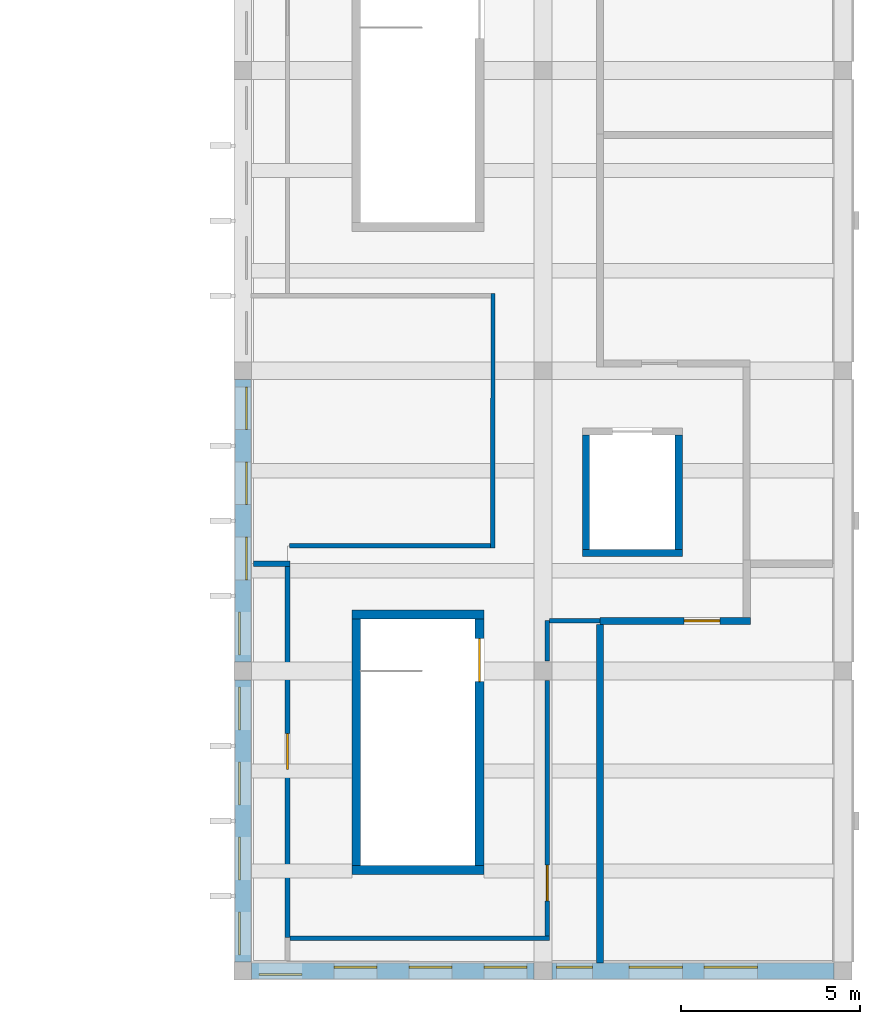
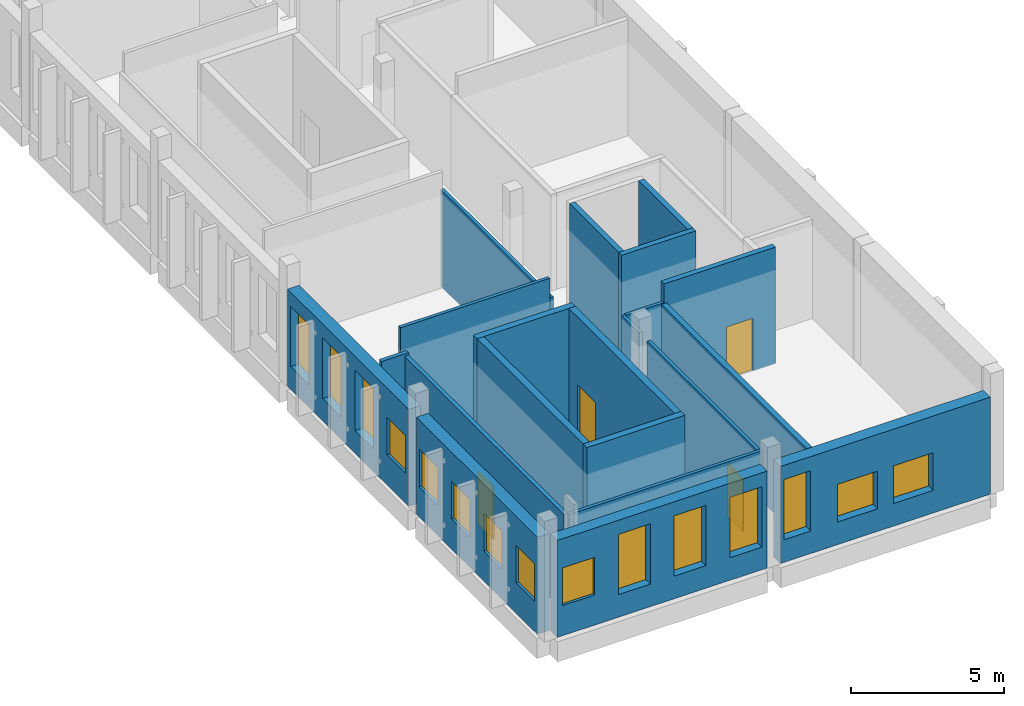
# One storey, part 26 of 47: 21 walls, 15 windows, 4 doors, 19 openings.
"""IFC4 building model written with IfcOpenShell, lengths in metres."""

from ifc_helpers import new_model, si_unit, direction, frame, frame_2d, origin, place, context, subcontext, project, spatial, rectangle, extrude, material, layer, layer_set, type_object, element, fill, save


model = new_model("IFC4")

# Units and contexts
model_context = context("Model", 3, precision=1e-05, world=origin(), true_north=direction((0.0, 1.0)))
body_context = subcontext(model_context, "Body", "Model", "MODEL_VIEW")
ifc_project = project(units=[si_unit("LENGTHUNIT", "METRE"), si_unit("AREAUNIT", "SQUARE_METRE"), si_unit("VOLUMEUNIT", "CUBIC_METRE"), si_unit("PLANEANGLEUNIT", "RADIAN"), si_unit("MASSUNIT", "GRAM", prefix="KILO")], contexts=[model_context])

# Site, building, storey
site_placement = place(None, origin())
site = spatial("IfcSite", under=ifc_project, at=site_placement, CompositionType="ELEMENT")
building_placement = place(site_placement, origin())
building = spatial("IfcBuilding", under=site, at=building_placement, Name="Larchfold Concert Hall", CompositionType="ELEMENT")
storey_placement = place(building_placement, frame((0.0, 0.0, 24.0)))
storey = spatial("IfcBuildingStorey", under=building, at=storey_placement, Name="L05", CompositionType="ELEMENT", Elevation=24.0)

# Wall
ifc_material_1 = material(Name="Plasterboard partition on steel studs", Category="steel")
ifc_layer_1 = layer(ifc_material_1, 0.199951171875)
ifc_layer_set_1 = layer_set([ifc_layer_1], Name="Plasterboard partition on steel studs")
wall_type_1 = type_object("IfcWallType", Name="Acoustic partition 200", PredefinedType="PARTITIONING", material=ifc_layer_set_1)
wall_1_placement = place(storey_placement, frame((94.60009765625, 10.300048828125, 0.0), z_axis=(0.0, 0.0, 1.0), x_axis=(0.0, -1.0, 0.0)))
element("IfcWall", 1, at=wall_1_placement, inside=storey, type_object=wall_type_1, Name="Partition IW0046", PredefinedType="PARTITIONING", context=body_context, shape_type="SweptSolid", body=[
    extrude(rectangle(XDim=9.474853515625, YDim=0.199951171875, at=frame_2d((4.7373046875, 0.0))), origin(), (0.0, 0.0, 1.0), 3.860107421875),
])

# Wall, opening, door
wall_2_placement = place(storey_placement, frame((94.60009765625, 10.39990234375, 0.0), z_axis=(0.0, 0.0, 1.0), x_axis=(1.0, 0.0, 0.0)))
wall_2 = element("IfcWall", 2, at=wall_2_placement, inside=storey, type_object=wall_type_1, Name="Partition IW0051", PredefinedType="PARTITIONING", context=body_context, shape_type="SweptSolid", body=[
    extrude(rectangle(XDim=4.199951171875, YDim=0.199951171875, at=frame_2d((2.10009765625, 0.0))), origin(), (0.0, 0.0, 1.0), 4.639892578125),
])
opening_1_placement = place(wall_2_placement, frame((2.349853515625, 0.0, 0.0)))
opening_1 = element("IfcOpeningElement", 3, at=opening_1_placement, cuts=wall_2, Name="Opening D-L05-111", PredefinedType="OPENING", context=body_context, shape_type="SweptSolid", body=[
    extrude(rectangle(XDim=1.0, YDim=2.10009765625, at=frame_2d((0.5, 1.050048828125))), frame((0.0, 0.10986328125, 0.0), z_axis=(0.0, -1.0, 0.0), x_axis=(1.0, 0.0, 0.0)), (0.0, 0.0, 1.0), 0.219970703125),
])
ifc_material_2 = material(Name="Timber door leaf", Category="wood")
door_type_1 = type_object("IfcDoorType", Name="Practice and studio door, acoustic 1000 x 2100 FD30S", OperationType="SINGLE_SWING_LEFT", PredefinedType="DOOR", material=ifc_material_2)
door_1_placement = place(opening_1_placement, origin())
door_1 = element("IfcDoor", 4, at=door_1_placement, inside=storey, type_object=door_type_1, Name="Door D-L05-111", OperationType="SINGLE_SWING_LEFT", OverallHeight=2.10009765625, OverallWidth=1.0, PredefinedType="DOOR", context=body_context, shape_type="SweptSolid", body=[
    extrude(rectangle(XDim=1.0, YDim=2.10009765625, at=frame_2d((0.5, 1.050048828125))), frame((0.0, 0.02490234375, 0.0), z_axis=(0.0, -1.0, 0.0), x_axis=(1.0, 0.0, 0.0)), (0.0, 0.0, 1.0), 0.050048828125),
])
fill(opening_1, door_1)

# Wall
ifc_material_3 = material(Name="Plasterboard partition on steel studs", Category="steel")
ifc_layer_2 = layer(ifc_material_3, 0.125)
ifc_layer_set_2 = layer_set([ifc_layer_2], Name="Plasterboard partition on steel studs")
wall_type_2 = type_object("IfcWallType", Name="Corridor partition 125 EI 60", PredefinedType="PARTITIONING", material=ifc_layer_set_2)
wall_3_placement = place(storey_placement, frame((85.927001953125, 1.52099609375, 0.0), z_axis=(0.0, 0.0, 1.0), x_axis=(0.999999990942, -0.00013459403, 0.0)))
element("IfcWall", 5, at=wall_3_placement, inside=storey, type_object=wall_type_2, Name="Partition IW0047", PredefinedType="PARTITIONING", context=body_context, shape_type="SweptSolid", body=[
    extrude(rectangle(XDim=7.255615234375, YDim=0.125, at=frame_2d((3.6279296875, 0.0))), origin(), (0.0, 0.0, 1.0), 3.860107421875),
])

# Wall, opening, door
wall_4_placement = place(storey_placement, frame((93.1201171875, 1.58251953125, 0.0), z_axis=(0.0, 0.0, 1.0), x_axis=(0.0, 1.0, 0.0)))
wall_4 = element("IfcWall", 6, at=wall_4_placement, inside=storey, type_object=wall_type_2, Name="Partition IW0048", PredefinedType="PARTITIONING", context=body_context, shape_type="SweptSolid", body=[
    extrude(rectangle(XDim=7.1474609375, YDim=0.125, at=frame_2d((3.57373046875, 0.0))), origin(), (0.0, 0.0, 1.0), 3.860107421875),
])
opening_2_placement = place(wall_4_placement, frame((0.98291015625, 0.0, 0.0)))
opening_2 = element("IfcOpeningElement", 7, at=opening_2_placement, cuts=wall_4, Name="Opening D-L05-110", PredefinedType="OPENING", context=body_context, shape_type="SweptSolid", body=[
    extrude(rectangle(XDim=1.0, YDim=2.10009765625, at=frame_2d((0.5, 1.050048828125))), frame((0.0, 0.072509765625, 0.0), z_axis=(0.0, -1.0, 0.0), x_axis=(1.0, 0.0, 0.0)), (0.0, 0.0, 1.0), 0.14501953125),
])
ifc_material_4 = material(Name="Timber door leaf", Category="wood")
door_type_2 = type_object("IfcDoorType", Name="Dressing room door 1000 x 2100 FD30S", OperationType="SINGLE_SWING_LEFT", PredefinedType="DOOR", material=ifc_material_4)
door_2_placement = place(opening_2_placement, origin())
door_2 = element("IfcDoor", 8, at=door_2_placement, inside=storey, type_object=door_type_2, Name="Door D-L05-110", OperationType="SINGLE_SWING_LEFT", OverallHeight=2.10009765625, OverallWidth=1.0, PredefinedType="DOOR", context=body_context, shape_type="SweptSolid", body=[
    extrude(rectangle(XDim=1.0, YDim=2.10009765625, at=frame_2d((0.5, 1.050048828125))), frame((0.0, 0.02490234375, 0.0), z_axis=(0.0, -1.0, 0.0), x_axis=(1.0, 0.0, 0.0)), (0.0, 0.0, 1.0), 0.050048828125),
])
fill(opening_2, door_2)

# Walls
wall_5_placement = place(storey_placement, frame((93.1201171875, 9.27001953125, 0.0), z_axis=(0.0, 0.0, 1.0), x_axis=(0.0, 1.0, 0.0)))
element("IfcWall", 9, at=wall_5_placement, inside=storey, type_object=wall_type_2, Name="Partition IW0049", PredefinedType="PARTITIONING", context=body_context, shape_type="SweptSolid", body=[
    extrude(rectangle(XDim=1.135986328125, YDim=0.125, at=frame_2d((0.56787109375, 0.0))), origin(), (0.0, 0.0, 1.0), 3.860107421875),
])
wall_6_placement = place(storey_placement, frame((93.18408203125, 10.39990234375, 0.0), z_axis=(0.0, 0.0, 1.0), x_axis=(1.0, 0.0, 0.0)))
element("IfcWall", 10, at=wall_6_placement, inside=storey, type_object=wall_type_2, Name="Partition IW0050", PredefinedType="PARTITIONING", context=body_context, shape_type="SweptSolid", body=[
    extrude(rectangle(XDim=1.416015625, YDim=0.125, at=frame_2d((0.7080078125, 0.0))), origin(), (0.0, 0.0, 1.0), 3.860107421875),
])
wall_7_placement = place(storey_placement, frame((91.60009765625, 12.4375, 0.0), z_axis=(0.0, 0.0, 1.0), x_axis=(0.000137042619, 0.99999999061, 0.0)))
element("IfcWall", 11, at=wall_7_placement, inside=storey, type_object=wall_type_2, Name="Partition IW0054", PredefinedType="PARTITIONING", context=body_context, shape_type="SweptSolid", body=[
    extrude(rectangle(XDim=7.1259765625, YDim=0.125, at=frame_2d((3.56298828125, 0.0))), origin(), (0.0, 0.0, 1.0), 3.860107421875),
])
wall_8_placement = place(storey_placement, frame((85.91357421875, 12.4990234375, 0.0), z_axis=(0.0, 0.0, 1.0), x_axis=(0.999999984924, 0.000173641255, 0.0)))
element("IfcWall", 12, at=wall_8_placement, inside=storey, type_object=wall_type_2, Name="Partition IW0060", PredefinedType="PARTITIONING", context=body_context, shape_type="SweptSolid", body=[
    extrude(rectangle(XDim=5.6240234375, YDim=0.125, at=frame_2d((2.81201171875, 0.0))), origin(), (0.0, 0.0, 1.0), 4.639892578125),
])

# Wall, opening, door
ifc_material_5 = material(Name="Plasterboard partition on steel studs", Category="steel")
ifc_layer_3 = layer(ifc_material_5, 0.14990234375)
ifc_layer_set_3 = layer_set([ifc_layer_3], Name="Plasterboard partition on steel studs")
wall_type_3 = type_object("IfcWallType", Name="Shaft and plant partition 150 EI 120", PredefinedType="PARTITIONING", material=ifc_layer_set_3)
wall_9_placement = place(storey_placement, frame((85.85009765625, 11.925048828125, 0.0), z_axis=(0.0, 0.0, 1.0), x_axis=(0.0, -1.0, 0.0)))
wall_9 = element("IfcWall", 13, at=wall_9_placement, inside=storey, type_object=wall_type_3, Name="Partition IW0044", PredefinedType="PARTITIONING", context=body_context, shape_type="SweptSolid", body=[
    extrude(rectangle(XDim=10.384033203125, YDim=0.14990234375, at=frame_2d((5.19189453125, 0.0))), origin(), (0.0, 0.0, 1.0), 3.860107421875),
])
opening_3_placement = place(wall_9_placement, frame((4.679931640625, 0.0, 0.0)))
opening_3 = element("IfcOpeningElement", 14, at=opening_3_placement, cuts=wall_9, Name="Opening D-L05-109", PredefinedType="OPENING", context=body_context, shape_type="SweptSolid", body=[
    extrude(rectangle(XDim=1.0, YDim=2.10009765625, at=frame_2d((0.5, 1.050048828125))), frame((0.0, 0.0849609375, 0.0), z_axis=(0.0, -1.0, 0.0), x_axis=(1.0, 0.0, 0.0)), (0.0, 0.0, 1.0), 0.169921875),
])
ifc_material_6 = material(Name="Timber door leaf", Category="wood")
door_type_3 = type_object("IfcDoorType", Name="Plant room door 1000 x 2100 FD60", OperationType="SINGLE_SWING_LEFT", PredefinedType="DOOR", material=ifc_material_6)
door_3_placement = place(opening_3_placement, origin())
door_3 = element("IfcDoor", 15, at=door_3_placement, inside=storey, type_object=door_type_3, Name="Door D-L05-109", OperationType="SINGLE_SWING_RIGHT", OverallHeight=2.10009765625, OverallWidth=1.0, PredefinedType="DOOR", context=body_context, shape_type="SweptSolid", body=[
    extrude(rectangle(XDim=1.0, YDim=2.10009765625, at=frame_2d((0.5, 1.050048828125))), frame((0.0, 0.02490234375, 0.0), z_axis=(0.0, -1.0, 0.0), x_axis=(1.0, 0.0, 0.0)), (0.0, 0.0, 1.0), 0.050048828125),
])
fill(opening_3, door_3)

# Walls
wall_10_placement = place(storey_placement, frame((84.89990234375, 12.0, 0.0), z_axis=(0.0, 0.0, 1.0), x_axis=(1.0, 0.0, 0.0)))
element("IfcWall", 16, at=wall_10_placement, inside=storey, type_object=wall_type_3, Name="Partition IW0045", PredefinedType="PARTITIONING", context=body_context, shape_type="SweptSolid", body=[
    extrude(rectangle(XDim=1.025146484375, YDim=0.14990234375, at=frame_2d((0.5126953125, 0.0))), origin(), (0.0, 0.0, 1.0), 3.9599609375),
])
ifc_material_7 = material(Name="Concrete C40/50", Category="concrete")
ifc_layer_4 = layer(ifc_material_7, 0.199951171875)
ifc_layer_set_4 = layer_set([ifc_layer_4], Name="Concrete C40/50")
wall_type_4 = type_object("IfcWallType", Name="Wall RC 200 lift shaft", PredefinedType="SOLIDWALL", material=ifc_layer_set_4)
wall_11_placement = place(storey_placement, frame((94.10009765625, 12.300048828125, 0.0), z_axis=(0.0, 0.0, 1.0), x_axis=(1.0, 0.0, 0.0)))
element("IfcWall", 17, at=wall_11_placement, inside=storey, type_object=wall_type_4, Name="Wall W0105", PredefinedType="SOLIDWALL", context=body_context, shape_type="SweptSolid", body=[
    extrude(rectangle(XDim=2.7998046875, YDim=0.199951171875, at=frame_2d((1.39990234375, 0.0))), origin(), (0.0, 0.0, 1.0), 4.800048828125),
])
for number, where, z_axis, x_axis, name in (
    (18, (94.2001953125, 12.39990234375, 0.0), (0.0, 0.0, 1.0), (0.0, 1.0, 0.0), "Wall W0107"),
    (19, (96.7998046875, 12.39990234375, 0.0), (0.0, 0.0, 1.0), (0.0, 1.0, 0.0), "Wall W0108"),
):
    element("IfcWall", number, at=place(storey_placement, frame(where, z_axis=z_axis, x_axis=x_axis)), inside=storey, type_object=wall_type_4, Name=name, PredefinedType="SOLIDWALL", context=body_context, shape_type="SweptSolid", body=[
        extrude(rectangle(XDim=3.2001953125, YDim=0.199951171875, at=frame_2d((1.60009765625, 0.0))), origin(), (0.0, 0.0, 1.0), 4.800048828125),
    ])
ifc_material_8 = material(Name="Concrete C40/50", Category="concrete")
ifc_layer_5 = layer(ifc_material_8, 0.25)
ifc_layer_set_5 = layer_set([ifc_layer_5], Name="Concrete C40/50")
wall_type_5 = type_object("IfcWallType", Name="Wall RC 250 stair core", PredefinedType="SOLIDWALL", material=ifc_layer_set_5)
for number, where, z_axis, x_axis, name in (
    (20, (87.64990234375, 3.425048828125, 0.0), (0.0, 0.0, 1.0), (1.0, 0.0, 0.0), "Wall W0073"),
    (21, (87.64990234375, 10.574951171875, 0.0), (0.0, 0.0, 1.0), (1.0, 0.0, 0.0), "Wall W0074"),
):
    element("IfcWall", number, at=place(storey_placement, frame(where, z_axis=z_axis, x_axis=x_axis)), inside=storey, type_object=wall_type_5, Name=name, PredefinedType="SOLIDWALL", context=body_context, shape_type="SweptSolid", body=[
        extrude(rectangle(XDim=3.7001953125, YDim=0.25, at=frame_2d((1.85009765625, 0.0))), origin(), (0.0, 0.0, 1.0), 4.800048828125),
    ])
wall_12_placement = place(storey_placement, frame((87.77490234375, 3.550048828125, 0.0), z_axis=(0.0, 0.0, 1.0), x_axis=(0.0, 1.0, 0.0)))
element("IfcWall", 22, at=wall_12_placement, inside=storey, type_object=wall_type_5, Name="Wall W0075", PredefinedType="SOLIDWALL", context=body_context, shape_type="SweptSolid", body=[
    extrude(rectangle(XDim=6.89990234375, YDim=0.25, at=frame_2d((3.449951171875, 0.0))), origin(), (0.0, 0.0, 1.0), 4.800048828125),
])

# Wall, opening, door
wall_13_placement = place(storey_placement, frame((91.22509765625, 3.550048828125, 0.0), z_axis=(0.0, 0.0, 1.0), x_axis=(0.0, 1.0, 0.0)))
wall_13 = element("IfcWall", 23, at=wall_13_placement, inside=storey, type_object=wall_type_5, Name="Wall W0076", PredefinedType="SOLIDWALL", context=body_context, shape_type="SweptSolid", body=[
    extrude(rectangle(XDim=6.89990234375, YDim=0.25, at=frame_2d((3.449951171875, 0.0))), origin(), (0.0, 0.0, 1.0), 4.800048828125),
])
opening_4_placement = place(wall_13_placement, frame((5.14990234375, 0.0, 0.0)))
opening_4 = element("IfcOpeningElement", 24, at=opening_4_placement, cuts=wall_13, Name="Opening D-L05-127", PredefinedType="OPENING", context=body_context, shape_type="SweptSolid", body=[
    extrude(rectangle(XDim=1.199951171875, YDim=2.10009765625, at=frame_2d((0.60009765625, 1.050048828125))), frame((0.0, 0.135009765625, 0.0), z_axis=(0.0, -1.0, 0.0), x_axis=(1.0, 0.0, 0.0)), (0.0, 0.0, 1.0), 0.27001953125),
])
ifc_material_9 = material(Name="Timber door leaf", Category="wood")
door_type_4 = type_object("IfcDoorType", Name="Stair enclosure door pair 1200 x 2100 FD60", OperationType="SINGLE_SWING_LEFT", PredefinedType="DOOR", material=ifc_material_9)
door_4_placement = place(opening_4_placement, origin())
door_4 = element("IfcDoor", 25, at=door_4_placement, inside=storey, type_object=door_type_4, Name="Door D-L05-127", OperationType="DOUBLE_DOOR_SINGLE_SWING", OverallHeight=2.10009765625, OverallWidth=1.199951171875, PredefinedType="DOOR", context=body_context, shape_type="SweptSolid", body=[
    extrude(rectangle(XDim=1.199951171875, YDim=2.10009765625, at=frame_2d((0.60009765625, 1.050048828125))), frame((0.0, 0.02490234375, 0.0), z_axis=(0.0, -1.0, 0.0), x_axis=(1.0, 0.0, 0.0)), (0.0, 0.0, 1.0), 0.050048828125),
])
fill(opening_4, door_4)

# Wall, openings, windows
ifc_material_10 = material(Name="White render on mineral wool and block")
ifc_layer_6 = layer(ifc_material_10, 0.449951171875)
ifc_layer_set_6 = layer_set([ifc_layer_6], Name="White render on mineral wool and block")
wall_type_6 = type_object("IfcWallType", Name="White render infill wall 450", PredefinedType="SOLIDWALL", material=ifc_layer_set_6)
wall_14_placement = place(storey_placement, frame((84.60009765625, 17.14990234375, 0.0), z_axis=(0.0, 0.0, 1.0), x_axis=(0.0, -1.0, 0.0)))
wall_14 = element("IfcWall", 26, at=wall_14_placement, inside=storey, type_object=wall_type_6, Name="Infill wall W5181", PredefinedType="SOLIDWALL", context=body_context, shape_type="SweptSolid", body=[
    extrude(rectangle(XDim=7.89990234375, YDim=0.449951171875, at=frame_2d((3.949951171875, 0.0))), origin(), (0.0, 0.0, 1.0), 3.860107421875),
])
opening_5_placement = place(wall_14_placement, frame((6.5, 0.0, 1.199951171875)))
opening_5 = element("IfcOpeningElement", 27, at=opening_5_placement, cuts=wall_14, Name="Opening WN-L05-034", PredefinedType="OPENING", context=body_context, shape_type="SweptSolid", body=[
    extrude(rectangle(XDim=1.199951171875, YDim=1.5, at=frame_2d((0.60009765625, 0.75))), frame((0.0, 0.23486328125, 0.0), z_axis=(0.0, -1.0, 0.0), x_axis=(1.0, 0.0, 0.0)), (0.0, 0.0, 1.0), 0.469970703125),
])
opening_6_placement = place(wall_14_placement, frame((4.39990234375, 0.0, 0.89990234375)))
opening_6 = element("IfcOpeningElement", 28, at=opening_6_placement, cuts=wall_14, Name="Opening WN-L05-035", PredefinedType="OPENING", context=body_context, shape_type="SweptSolid", body=[
    extrude(rectangle(XDim=1.199951171875, YDim=2.39990234375, at=frame_2d((0.60009765625, 1.199951171875))), frame((0.0, 0.23486328125, 0.0), z_axis=(0.0, -1.0, 0.0), x_axis=(1.0, 0.0, 0.0)), (0.0, 0.0, 1.0), 0.469970703125),
])
opening_7_placement = place(wall_14_placement, frame((2.2998046875, 0.0, 0.89990234375)))
opening_7 = element("IfcOpeningElement", 29, at=opening_7_placement, cuts=wall_14, Name="Opening WN-L05-036", PredefinedType="OPENING", context=body_context, shape_type="SweptSolid", body=[
    extrude(rectangle(XDim=1.199951171875, YDim=2.39990234375, at=frame_2d((0.60009765625, 1.199951171875))), frame((0.0, 0.23486328125, 0.0), z_axis=(0.0, -1.0, 0.0), x_axis=(1.0, 0.0, 0.0)), (0.0, 0.0, 1.0), 0.469970703125),
])
opening_8_placement = place(wall_14_placement, frame((0.199951171875, 0.0, 0.89990234375)))
opening_8 = element("IfcOpeningElement", 30, at=opening_8_placement, cuts=wall_14, Name="Opening WN-L05-037", PredefinedType="OPENING", context=body_context, shape_type="SweptSolid", body=[
    extrude(rectangle(XDim=1.199951171875, YDim=2.39990234375, at=frame_2d((0.60009765625, 1.199951171875))), frame((0.0, 0.23486328125, 0.0), z_axis=(0.0, -1.0, 0.0), x_axis=(1.0, 0.0, 0.0)), (0.0, 0.0, 1.0), 0.469970703125),
])
ifc_material_11 = material(Name="Anodised graphite aluminium louvre frame", Category="aluminium")
window_type_1 = type_object("IfcWindowType", Name="Plant louvre window 1200x1500", PartitioningType="SINGLE_PANEL", PredefinedType="WINDOW", material=ifc_material_11)
window_1_placement = place(opening_5_placement, origin())
window_1 = element("IfcWindow", 31, at=window_1_placement, inside=storey, type_object=window_type_1, Name="Window WN-L05-034", OverallHeight=1.5, OverallWidth=1.199951171875, PartitioningType="SINGLE_PANEL", PredefinedType="WINDOW", context=body_context, shape_type="SweptSolid", body=[
    extrude(rectangle(XDim=1.199951171875, YDim=1.5, at=frame_2d((0.60009765625, 0.75))), frame((0.0, -0.06494140625, 0.0), z_axis=(0.0, -1.0, 0.0), x_axis=(1.0, 0.0, 0.0)), (0.0, 0.0, 1.0), 0.06005859375),
])
fill(opening_5, window_1)
ifc_material_12 = material(Name="Anodised graphite aluminium frame with glass", Category="aluminium")
window_type_2 = type_object("IfcWindowType", Name="Slot window 1200x2400", PartitioningType="SINGLE_PANEL", PredefinedType="WINDOW", material=ifc_material_12)
window_2_placement = place(opening_6_placement, origin())
window_2 = element("IfcWindow", 32, at=window_2_placement, inside=storey, type_object=window_type_2, Name="Window WN-L05-035", OverallHeight=2.39990234375, OverallWidth=1.199951171875, PartitioningType="SINGLE_PANEL", PredefinedType="WINDOW", context=body_context, shape_type="SweptSolid", body=[
    extrude(rectangle(XDim=1.199951171875, YDim=2.39990234375, at=frame_2d((0.60009765625, 1.199951171875))), frame((0.0, 0.135009765625, 0.0), z_axis=(0.0, -1.0, 0.0), x_axis=(1.0, 0.0, 0.0)), (0.0, 0.0, 1.0), 0.06005859375),
])
fill(opening_6, window_2)
window_3_placement = place(opening_7_placement, origin())
window_3 = element("IfcWindow", 33, at=window_3_placement, inside=storey, type_object=window_type_2, Name="Window WN-L05-036", OverallHeight=2.39990234375, OverallWidth=1.199951171875, PartitioningType="SINGLE_PANEL", PredefinedType="WINDOW", context=body_context, shape_type="SweptSolid", body=[
    extrude(rectangle(XDim=1.199951171875, YDim=2.39990234375, at=frame_2d((0.60009765625, 1.199951171875))), frame((0.0, 0.135009765625, 0.0), z_axis=(0.0, -1.0, 0.0), x_axis=(1.0, 0.0, 0.0)), (0.0, 0.0, 1.0), 0.06005859375),
])
fill(opening_7, window_3)
window_4_placement = place(opening_8_placement, origin())
window_4 = element("IfcWindow", 34, at=window_4_placement, inside=storey, type_object=window_type_2, Name="Window WN-L05-037", OverallHeight=2.39990234375, OverallWidth=1.199951171875, PartitioningType="SINGLE_PANEL", PredefinedType="WINDOW", context=body_context, shape_type="SweptSolid", body=[
    extrude(rectangle(XDim=1.199951171875, YDim=2.39990234375, at=frame_2d((0.60009765625, 1.199951171875))), frame((0.0, 0.135009765625, 0.0), z_axis=(0.0, -1.0, 0.0), x_axis=(1.0, 0.0, 0.0)), (0.0, 0.0, 1.0), 0.06005859375),
])
fill(opening_8, window_4)

wall_15_placement = place(storey_placement, frame((84.60009765625, 8.75, 0.0), z_axis=(0.0, 0.0, 1.0), x_axis=(0.0, -1.0, 0.0)))
wall_15 = element("IfcWall", 35, at=wall_15_placement, inside=storey, type_object=wall_type_6, Name="Infill wall W5182", PredefinedType="SOLIDWALL", context=body_context, shape_type="SweptSolid", body=[
    extrude(rectangle(XDim=7.89990234375, YDim=0.449951171875, at=frame_2d((3.949951171875, 0.0))), origin(), (0.0, 0.0, 1.0), 3.860107421875),
])
opening_9_placement = place(wall_15_placement, frame((6.5, 0.0, 1.199951171875)))
opening_9 = element("IfcOpeningElement", 36, at=opening_9_placement, cuts=wall_15, Name="Opening WN-L05-038", PredefinedType="OPENING", context=body_context, shape_type="SweptSolid", body=[
    extrude(rectangle(XDim=1.199951171875, YDim=1.5, at=frame_2d((0.60009765625, 0.75))), frame((0.0, 0.23486328125, 0.0), z_axis=(0.0, -1.0, 0.0), x_axis=(1.0, 0.0, 0.0)), (0.0, 0.0, 1.0), 0.469970703125),
])
opening_10_placement = place(wall_15_placement, frame((4.39990234375, 0.0, 1.199951171875)))
opening_10 = element("IfcOpeningElement", 37, at=opening_10_placement, cuts=wall_15, Name="Opening WN-L05-039", PredefinedType="OPENING", context=body_context, shape_type="SweptSolid", body=[
    extrude(rectangle(XDim=1.199951171875, YDim=1.5, at=frame_2d((0.60009765625, 0.75))), frame((0.0, 0.23486328125, 0.0), z_axis=(0.0, -1.0, 0.0), x_axis=(1.0, 0.0, 0.0)), (0.0, 0.0, 1.0), 0.469970703125),
])
opening_11_placement = place(wall_15_placement, frame((2.300048828125, 0.0, 1.199951171875)))
opening_11 = element("IfcOpeningElement", 38, at=opening_11_placement, cuts=wall_15, Name="Opening WN-L05-040", PredefinedType="OPENING", context=body_context, shape_type="SweptSolid", body=[
    extrude(rectangle(XDim=1.199951171875, YDim=1.5, at=frame_2d((0.60009765625, 0.75))), frame((0.0, 0.23486328125, 0.0), z_axis=(0.0, -1.0, 0.0), x_axis=(1.0, 0.0, 0.0)), (0.0, 0.0, 1.0), 0.469970703125),
])
opening_12_placement = place(wall_15_placement, frame((0.199951171875, 0.0, 1.199951171875)))
opening_12 = element("IfcOpeningElement", 39, at=opening_12_placement, cuts=wall_15, Name="Opening WN-L05-041", PredefinedType="OPENING", context=body_context, shape_type="SweptSolid", body=[
    extrude(rectangle(XDim=1.199951171875, YDim=1.5, at=frame_2d((0.60009765625, 0.75))), frame((0.0, 0.23486328125, 0.0), z_axis=(0.0, -1.0, 0.0), x_axis=(1.0, 0.0, 0.0)), (0.0, 0.0, 1.0), 0.469970703125),
])
window_5_placement = place(opening_9_placement, origin())
window_5 = element("IfcWindow", 40, at=window_5_placement, inside=storey, type_object=window_type_1, Name="Window WN-L05-038", OverallHeight=1.5, OverallWidth=1.199951171875, PartitioningType="SINGLE_PANEL", PredefinedType="WINDOW", context=body_context, shape_type="SweptSolid", body=[
    extrude(rectangle(XDim=1.199951171875, YDim=1.5, at=frame_2d((0.60009765625, 0.75))), frame((0.0, -0.06494140625, 0.0), z_axis=(0.0, -1.0, 0.0), x_axis=(1.0, 0.0, 0.0)), (0.0, 0.0, 1.0), 0.06005859375),
])
fill(opening_9, window_5)
window_6_placement = place(opening_10_placement, origin())
window_6 = element("IfcWindow", 41, at=window_6_placement, inside=storey, type_object=window_type_1, Name="Window WN-L05-039", OverallHeight=1.5, OverallWidth=1.199951171875, PartitioningType="SINGLE_PANEL", PredefinedType="WINDOW", context=body_context, shape_type="SweptSolid", body=[
    extrude(rectangle(XDim=1.199951171875, YDim=1.5, at=frame_2d((0.60009765625, 0.75))), frame((0.0, -0.06494140625, 0.0), z_axis=(0.0, -1.0, 0.0), x_axis=(1.0, 0.0, 0.0)), (0.0, 0.0, 1.0), 0.06005859375),
])
fill(opening_10, window_6)
window_7_placement = place(opening_11_placement, origin())
window_7 = element("IfcWindow", 42, at=window_7_placement, inside=storey, type_object=window_type_1, Name="Window WN-L05-040", OverallHeight=1.5, OverallWidth=1.199951171875, PartitioningType="SINGLE_PANEL", PredefinedType="WINDOW", context=body_context, shape_type="SweptSolid", body=[
    extrude(rectangle(XDim=1.199951171875, YDim=1.5, at=frame_2d((0.60009765625, 0.75))), frame((0.0, -0.06494140625, 0.0), z_axis=(0.0, -1.0, 0.0), x_axis=(1.0, 0.0, 0.0)), (0.0, 0.0, 1.0), 0.06005859375),
])
fill(opening_11, window_7)
window_8_placement = place(opening_12_placement, origin())
window_8 = element("IfcWindow", 43, at=window_8_placement, inside=storey, type_object=window_type_1, Name="Window WN-L05-041", OverallHeight=1.5, OverallWidth=1.199951171875, PartitioningType="SINGLE_PANEL", PredefinedType="WINDOW", context=body_context, shape_type="SweptSolid", body=[
    extrude(rectangle(XDim=1.199951171875, YDim=1.5, at=frame_2d((0.60009765625, 0.75))), frame((0.0, -0.06494140625, 0.0), z_axis=(0.0, -1.0, 0.0), x_axis=(1.0, 0.0, 0.0)), (0.0, 0.0, 1.0), 0.06005859375),
])
fill(opening_12, window_8)

wall_16_placement = place(storey_placement, frame((84.85009765625, 0.60009765625, 0.0), z_axis=(0.0, 0.0, 1.0), x_axis=(1.0, 0.0, 0.0)))
wall_16 = element("IfcWall", 44, at=wall_16_placement, inside=storey, type_object=wall_type_6, Name="Infill wall W5183", PredefinedType="SOLIDWALL", context=body_context, shape_type="SweptSolid", body=[
    extrude(rectangle(XDim=7.89990234375, YDim=0.449951171875, at=frame_2d((3.949951171875, 0.0))), origin(), (0.0, 0.0, 1.0), 3.860107421875),
])
opening_13_placement = place(wall_16_placement, frame((0.199951171875, 0.0, 1.199951171875)))
opening_13 = element("IfcOpeningElement", 45, at=opening_13_placement, cuts=wall_16, Name="Opening WN-L05-042", PredefinedType="OPENING", context=body_context, shape_type="SweptSolid", body=[
    extrude(rectangle(XDim=1.199951171875, YDim=1.5, at=frame_2d((0.60009765625, 0.75))), frame((0.0, 0.23486328125, 0.0), z_axis=(0.0, -1.0, 0.0), x_axis=(1.0, 0.0, 0.0)), (0.0, 0.0, 1.0), 0.469970703125),
])
opening_14_placement = place(wall_16_placement, frame((2.2998046875, 0.0, 0.89990234375)))
opening_14 = element("IfcOpeningElement", 46, at=opening_14_placement, cuts=wall_16, Name="Opening WN-L05-043", PredefinedType="OPENING", context=body_context, shape_type="SweptSolid", body=[
    extrude(rectangle(XDim=1.199951171875, YDim=2.39990234375, at=frame_2d((0.60009765625, 1.199951171875))), frame((0.0, 0.23486328125, 0.0), z_axis=(0.0, -1.0, 0.0), x_axis=(1.0, 0.0, 0.0)), (0.0, 0.0, 1.0), 0.469970703125),
])
opening_15_placement = place(wall_16_placement, frame((4.39990234375, 0.0, 0.89990234375)))
opening_15 = element("IfcOpeningElement", 47, at=opening_15_placement, cuts=wall_16, Name="Opening WN-L05-044", PredefinedType="OPENING", context=body_context, shape_type="SweptSolid", body=[
    extrude(rectangle(XDim=1.199951171875, YDim=2.39990234375, at=frame_2d((0.60009765625, 1.199951171875))), frame((0.0, 0.23486328125, 0.0), z_axis=(0.0, -1.0, 0.0), x_axis=(1.0, 0.0, 0.0)), (0.0, 0.0, 1.0), 0.469970703125),
])
opening_16_placement = place(wall_16_placement, frame((6.5, 0.0, 0.89990234375)))
opening_16 = element("IfcOpeningElement", 48, at=opening_16_placement, cuts=wall_16, Name="Opening WN-L05-045", PredefinedType="OPENING", context=body_context, shape_type="SweptSolid", body=[
    extrude(rectangle(XDim=1.199951171875, YDim=2.39990234375, at=frame_2d((0.60009765625, 1.199951171875))), frame((0.0, 0.23486328125, 0.0), z_axis=(0.0, -1.0, 0.0), x_axis=(1.0, 0.0, 0.0)), (0.0, 0.0, 1.0), 0.469970703125),
])
window_9_placement = place(opening_13_placement, origin())
window_9 = element("IfcWindow", 49, at=window_9_placement, inside=storey, type_object=window_type_1, Name="Window WN-L05-042", OverallHeight=1.5, OverallWidth=1.199951171875, PartitioningType="SINGLE_PANEL", PredefinedType="WINDOW", context=body_context, shape_type="SweptSolid", body=[
    extrude(rectangle(XDim=1.199951171875, YDim=1.5, at=frame_2d((0.60009765625, 0.75))), frame((0.0, -0.06494140625, 0.0), z_axis=(0.0, -1.0, 0.0), x_axis=(1.0, 0.0, 0.0)), (0.0, 0.0, 1.0), 0.06005859375),
])
fill(opening_13, window_9)
window_10_placement = place(opening_14_placement, origin())
window_10 = element("IfcWindow", 50, at=window_10_placement, inside=storey, type_object=window_type_2, Name="Window WN-L05-043", OverallHeight=2.39990234375, OverallWidth=1.199951171875, PartitioningType="SINGLE_PANEL", PredefinedType="WINDOW", context=body_context, shape_type="SweptSolid", body=[
    extrude(rectangle(XDim=1.199951171875, YDim=2.39990234375, at=frame_2d((0.60009765625, 1.199951171875))), frame((0.0, 0.135009765625, 0.0), z_axis=(0.0, -1.0, 0.0), x_axis=(1.0, 0.0, 0.0)), (0.0, 0.0, 1.0), 0.06005859375),
])
fill(opening_14, window_10)
window_11_placement = place(opening_15_placement, origin())
window_11 = element("IfcWindow", 51, at=window_11_placement, inside=storey, type_object=window_type_2, Name="Window WN-L05-044", OverallHeight=2.39990234375, OverallWidth=1.199951171875, PartitioningType="SINGLE_PANEL", PredefinedType="WINDOW", context=body_context, shape_type="SweptSolid", body=[
    extrude(rectangle(XDim=1.199951171875, YDim=2.39990234375, at=frame_2d((0.60009765625, 1.199951171875))), frame((0.0, 0.135009765625, 0.0), z_axis=(0.0, -1.0, 0.0), x_axis=(1.0, 0.0, 0.0)), (0.0, 0.0, 1.0), 0.06005859375),
])
fill(opening_15, window_11)
window_12_placement = place(opening_16_placement, origin())
window_12 = element("IfcWindow", 52, at=window_12_placement, inside=storey, type_object=window_type_2, Name="Window WN-L05-045", OverallHeight=2.39990234375, OverallWidth=1.199951171875, PartitioningType="SINGLE_PANEL", PredefinedType="WINDOW", context=body_context, shape_type="SweptSolid", body=[
    extrude(rectangle(XDim=1.199951171875, YDim=2.39990234375, at=frame_2d((0.60009765625, 1.199951171875))), frame((0.0, 0.135009765625, 0.0), z_axis=(0.0, -1.0, 0.0), x_axis=(1.0, 0.0, 0.0)), (0.0, 0.0, 1.0), 0.06005859375),
])
fill(opening_16, window_12)

wall_17_placement = place(storey_placement, frame((93.25, 0.60009765625, 0.0), z_axis=(0.0, 0.0, 1.0), x_axis=(1.0, 0.0, 0.0)))
wall_17 = element("IfcWall", 53, at=wall_17_placement, inside=storey, type_object=wall_type_6, Name="Infill wall W5184", PredefinedType="SOLIDWALL", context=body_context, shape_type="SweptSolid", body=[
    extrude(rectangle(XDim=7.89990234375, YDim=0.449951171875, at=frame_2d((3.949951171875, 0.0))), origin(), (0.0, 0.0, 1.0), 3.860107421875),
])
opening_17_placement = place(wall_17_placement, frame((0.135009765625, 0.0, 0.89990234375)))
opening_17 = element("IfcOpeningElement", 54, at=opening_17_placement, cuts=wall_17, Name="Opening WN-L05-046", PredefinedType="OPENING", context=body_context, shape_type="SweptSolid", body=[
    extrude(rectangle(XDim=1.0, YDim=2.39990234375, at=frame_2d((0.5, 1.199951171875))), frame((0.0, 0.23486328125, 0.0), z_axis=(0.0, -1.0, 0.0), x_axis=(1.0, 0.0, 0.0)), (0.0, 0.0, 1.0), 0.469970703125),
])
opening_18_placement = place(wall_17_placement, frame((2.14990234375, 0.0, 0.89990234375)))
opening_18 = element("IfcOpeningElement", 55, at=opening_18_placement, cuts=wall_17, Name="Opening WN-L05-047", PredefinedType="OPENING", context=body_context, shape_type="SweptSolid", body=[
    extrude(rectangle(XDim=1.5, YDim=1.5, at=frame_2d((0.75, 0.75))), frame((0.0, 0.23486328125, 0.0), z_axis=(0.0, -1.0, 0.0), x_axis=(1.0, 0.0, 0.0)), (0.0, 0.0, 1.0), 0.469970703125),
])
opening_19_placement = place(wall_17_placement, frame((4.25, 0.0, 0.89990234375)))
opening_19 = element("IfcOpeningElement", 56, at=opening_19_placement, cuts=wall_17, Name="Opening WN-L05-048", PredefinedType="OPENING", context=body_context, shape_type="SweptSolid", body=[
    extrude(rectangle(XDim=1.5, YDim=1.5, at=frame_2d((0.75, 0.75))), frame((0.0, 0.23486328125, 0.0), z_axis=(0.0, -1.0, 0.0), x_axis=(1.0, 0.0, 0.0)), (0.0, 0.0, 1.0), 0.469970703125),
])
ifc_material_13 = material(Name="Anodised graphite aluminium frame with glass", Category="aluminium")
window_type_3 = type_object("IfcWindowType", Name="Slot window 1000x2400", PartitioningType="SINGLE_PANEL", PredefinedType="WINDOW", material=ifc_material_13)
window_13_placement = place(opening_17_placement, origin())
window_13 = element("IfcWindow", 57, at=window_13_placement, inside=storey, type_object=window_type_3, Name="Window WN-L05-046", OverallHeight=2.39990234375, OverallWidth=1.0, PartitioningType="SINGLE_PANEL", PredefinedType="WINDOW", context=body_context, shape_type="SweptSolid", body=[
    extrude(rectangle(XDim=1.0, YDim=2.39990234375, at=frame_2d((0.5, 1.199951171875))), frame((0.0, 0.135009765625, 0.0), z_axis=(0.0, -1.0, 0.0), x_axis=(1.0, 0.0, 0.0)), (0.0, 0.0, 1.0), 0.06005859375),
])
fill(opening_17, window_13)
ifc_material_14 = material(Name="Anodised graphite aluminium frame with glass", Category="aluminium")
window_type_4 = type_object("IfcWindowType", Name="Studio window 1500x1500", PartitioningType="DOUBLE_PANEL_VERTICAL", PredefinedType="WINDOW", material=ifc_material_14)
window_14_placement = place(opening_18_placement, origin())
window_14 = element("IfcWindow", 58, at=window_14_placement, inside=storey, type_object=window_type_4, Name="Window WN-L05-047", OverallHeight=1.5, OverallWidth=1.5, PartitioningType="DOUBLE_PANEL_VERTICAL", PredefinedType="WINDOW", context=body_context, shape_type="SweptSolid", body=[
    extrude(rectangle(XDim=1.5, YDim=1.5, at=frame_2d((0.75, 0.75))), frame((0.0, 0.135009765625, 0.0), z_axis=(0.0, -1.0, 0.0), x_axis=(1.0, 0.0, 0.0)), (0.0, 0.0, 1.0), 0.06005859375),
])
fill(opening_18, window_14)
window_15_placement = place(opening_19_placement, origin())
window_15 = element("IfcWindow", 59, at=window_15_placement, inside=storey, type_object=window_type_4, Name="Window WN-L05-048", OverallHeight=1.5, OverallWidth=1.5, PartitioningType="DOUBLE_PANEL_VERTICAL", PredefinedType="WINDOW", context=body_context, shape_type="SweptSolid", body=[
    extrude(rectangle(XDim=1.5, YDim=1.5, at=frame_2d((0.75, 0.75))), frame((0.0, 0.135009765625, 0.0), z_axis=(0.0, -1.0, 0.0), x_axis=(1.0, 0.0, 0.0)), (0.0, 0.0, 1.0), 0.06005859375),
])
fill(opening_19, window_15)

save(model, "model.ifc")
